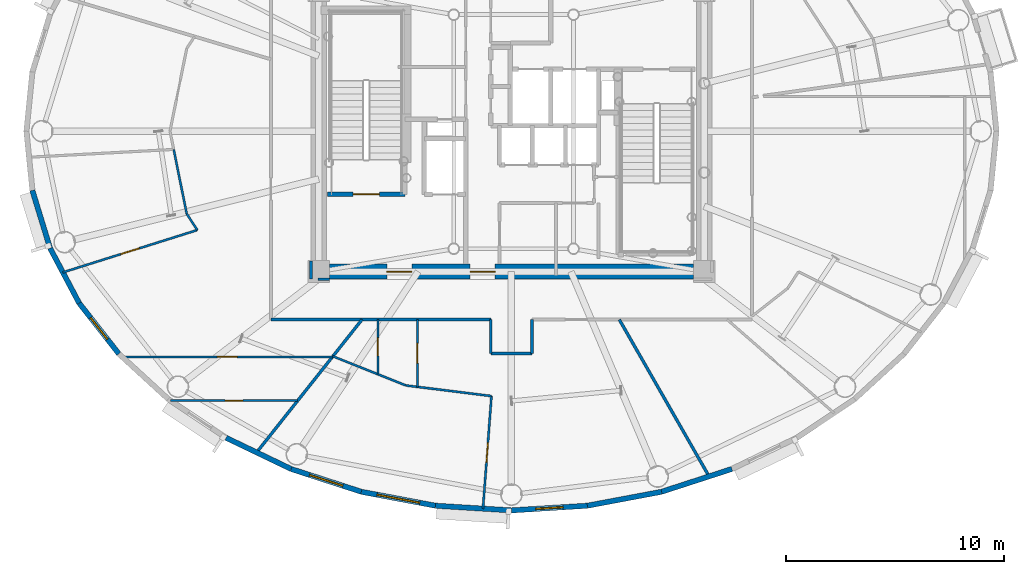
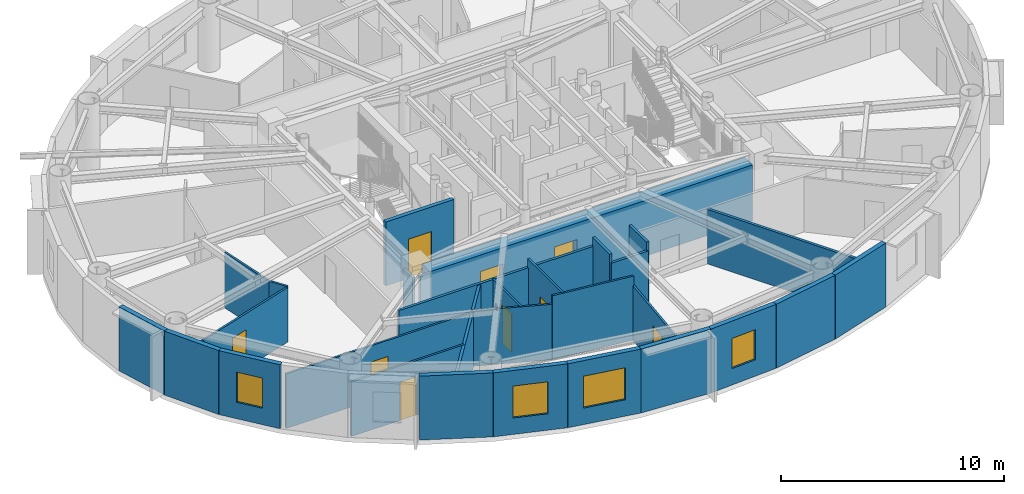
# One storey, part 7 of 18: 30 walls, 9 doors, 4 windows, 13 openings.
"""IFC4 building model written with IfcOpenShell, lengths in metres."""

from ifc_helpers import new_model, si_unit, direction, frame, frame_2d, origin, origin_2d, place, context, subcontext, project, spatial, rectangle, extrude, source, transform, mapped, material, layer, layer_set, type_object, element, fill, save


model = new_model("IFC4")

# Units and contexts
model_context = context("Model", 3, precision=1e-05, world=origin(), true_north=direction((0.0, 1.0)))
body_context = subcontext(model_context, "Body", "Model", "MODEL_VIEW")
ifc_project = project(units=[si_unit("LENGTHUNIT", "METRE"), si_unit("AREAUNIT", "SQUARE_METRE"), si_unit("VOLUMEUNIT", "CUBIC_METRE"), si_unit("PLANEANGLEUNIT", "RADIAN"), si_unit("MASSUNIT", "GRAM", prefix="KILO")], contexts=[model_context])

# Site, building, storey
site_placement = place(None, origin())
site = spatial("IfcSite", under=ifc_project, at=site_placement, CompositionType="ELEMENT")
building_placement = place(site_placement, origin())
building = spatial("IfcBuilding", under=site, at=building_placement, Name="Linh Dai School and Residence Tower", CompositionType="ELEMENT")
storey_placement = place(building_placement, frame((0.0, 0.0, 273.0)))
storey = spatial("IfcBuildingStorey", under=building, at=storey_placement, Name="L67", CompositionType="ELEMENT", Elevation=273.0)

# Walls
ifc_material_1 = material(Name="Precast Concrete B45 (C35/45)", Category="concrete")
ifc_layer_1 = layer(ifc_material_1, 0.239990234375)
ifc_layer_set_1 = layer_set([ifc_layer_1], Name="Precast Concrete B45 (C35/45)")
wall_type_1 = type_object("IfcWallType", Name="EW-TC-240", PredefinedType="SOLIDWALL", material=ifc_layer_set_1)
wall_1_placement = place(storey_placement, frame((14.811767578125, 21.627685546875, 0.0), z_axis=(0.0, 0.0, 1.0), x_axis=(-0.2931213403, 0.956075248012, 0.0)))
element("IfcWall", 1, at=wall_1_placement, inside=storey, type_object=wall_type_1, Name="L67 Terracotta Exterior Wall 22", PredefinedType="SOLIDWALL", context=body_context, shape_type="SweptSolid", body=[
    extrude(rectangle(XDim=2.775146484375, YDim=0.239990234375, at=frame_2d((1.3876953125, 0.0))), origin(), (0.0, 0.0, 1.0), 3.5),
])
wall_2_placement = place(storey_placement, frame((16.146240234375, 19.105224609375, 0.0), z_axis=(0.0, 0.0, 1.0), x_axis=(-0.467628269026, 0.883925224218, 0.0)))
element("IfcWall", 2, at=wall_2_placement, inside=storey, type_object=wall_type_1, Name="L67 Terracotta Exterior Wall 23", PredefinedType="SOLIDWALL", context=body_context, shape_type="SweptSolid", body=[
    extrude(rectangle(XDim=2.853759765625, YDim=0.239990234375, at=frame_2d((1.4267578125, 0.0))), origin(), (0.0, 0.0, 1.0), 3.5),
])

# Wall, opening, window
wall_3_placement = place(storey_placement, frame((17.9697265625, 16.775390625, 0.0), z_axis=(0.0, 0.0, 1.0), x_axis=(-0.616337186556, 0.787482363275, 0.0)))
wall_3 = element("IfcWall", 3, at=wall_3_placement, inside=storey, type_object=wall_type_1, Name="L67 Terracotta Exterior Wall 24", PredefinedType="SOLIDWALL", context=body_context, shape_type="SweptSolid", body=[
    extrude(rectangle(XDim=2.95849609375, YDim=0.239990234375, at=frame_2d((1.479248046875, 0.0))), origin(), (0.0, 0.0, 1.0), 3.5),
])
opening_1_placement = place(wall_3_placement, frame((0.85400390625, 0.0, 0.89990234375)))
opening_1 = element("IfcOpeningElement", 4, at=opening_1_placement, cuts=wall_3, Name="Opening W3", PredefinedType="OPENING", context=body_context, shape_type="SweptSolid", body=[
    extrude(rectangle(XDim=1.25, YDim=1.64990234375, at=origin_2d()), frame((0.625, 0.1298828125, 0.824951171875), z_axis=(0.0, -1.0, 0.0), x_axis=(1.0, 0.0, 0.0)), (0.0, 0.0, 1.0), 0.260009765625),
])
ifc_material_2 = material(Name="Double Low-E Insulated Glazing", Category="glass")
window_type_1 = type_object("IfcWindowType", Name="WN-RES-1250x1650", PartitioningType="SINGLE_PANEL", PredefinedType="WINDOW", material=ifc_material_2)
shared_shape_1 = source(origin(), body_context, "Body", "SweptSolid", [
    extrude(rectangle(XDim=1.25, YDim=1.64990234375, at=origin_2d()), frame((0.625, 0.030029296875, 0.824951171875), z_axis=(0.0, -1.0, 0.0), x_axis=(1.0, 0.0, 0.0)), (0.0, 0.0, 1.0), 0.06005859375),
])
window_1_placement = place(opening_1_placement, origin())
window_1 = element("IfcWindow", 5, at=window_1_placement, inside=storey, type_object=window_type_1, Name="L67 Exterior Window 24.1", OverallHeight=1.64990234375, OverallWidth=1.25, PartitioningType="SINGLE_PANEL", PredefinedType="WINDOW", context=body_context, shape_type="MappedRepresentation", body=[
    mapped(shared_shape_1, transform((0.0, 0.0, 0.0), x_axis=(1.0, 0.0, 0.0), y_axis=(0.0, 1.0, 0.0), z_axis=(0.0, 0.0, 1.0), scale=1.0)),
])
fill(opening_1, window_1)

# Wall
wall_4_placement = place(storey_placement, frame((25.876953125, 11.48779296875, 0.0), z_axis=(0.0, 0.0, 1.0), x_axis=(-0.901573741254, 0.43262546051, 0.0)))
element("IfcWall", 6, at=wall_4_placement, inside=storey, type_object=wall_type_1, Name="L67 Terracotta Exterior Wall 27", PredefinedType="SOLIDWALL", context=body_context, shape_type="SweptSolid", body=[
    extrude(rectangle(XDim=3.306884765625, YDim=0.239990234375, at=frame_2d((1.6533203125, 0.0))), origin(), (0.0, 0.0, 1.0), 3.5),
])

# Wall, opening, window
wall_5_placement = place(storey_placement, frame((29.10888671875, 10.439697265625, 0.0), z_axis=(0.0, 0.0, 1.0), x_axis=(-0.95123136723, 0.308478339592, 0.0)))
wall_5 = element("IfcWall", 7, at=wall_5_placement, inside=storey, type_object=wall_type_1, Name="L67 Terracotta Exterior Wall 28", PredefinedType="SOLIDWALL", context=body_context, shape_type="SweptSolid", body=[
    extrude(rectangle(XDim=3.397705078125, YDim=0.239990234375, at=frame_2d((1.69873046875, 0.0))), origin(), (0.0, 0.0, 1.0), 3.5),
])
opening_2_placement = place(wall_5_placement, frame((0.898681640625, 0.0, 0.89990234375)))
opening_2 = element("IfcOpeningElement", 8, at=opening_2_placement, cuts=wall_5, Name="Opening W2", PredefinedType="OPENING", context=body_context, shape_type="SweptSolid", body=[
    extrude(rectangle(XDim=1.60009765625, YDim=1.75, at=origin_2d()), frame((0.800048828125, 0.1298828125, 0.875), z_axis=(0.0, -1.0, 0.0), x_axis=(1.0, 0.0, 0.0)), (0.0, 0.0, 1.0), 0.260009765625),
])
window_type_2 = type_object("IfcWindowType", Name="WN-RES-1600x1750", PartitioningType="DOUBLE_PANEL_VERTICAL", PredefinedType="WINDOW", material=ifc_material_2)
shared_shape_2 = source(origin(), body_context, "Body", "SweptSolid", [
    extrude(rectangle(XDim=1.60009765625, YDim=1.75, at=origin_2d()), frame((0.800048828125, 0.030029296875, 0.875), z_axis=(0.0, -1.0, 0.0), x_axis=(1.0, 0.0, 0.0)), (0.0, 0.0, 1.0), 0.06005859375),
])
window_2_placement = place(opening_2_placement, origin())
window_2 = element("IfcWindow", 9, at=window_2_placement, inside=storey, type_object=window_type_2, Name="L67 Exterior Window 28.1", OverallHeight=1.75, OverallWidth=1.60009765625, PartitioningType="DOUBLE_PANEL_VERTICAL", PredefinedType="WINDOW", context=body_context, shape_type="MappedRepresentation", body=[
    mapped(shared_shape_2, transform((0.0, 0.0, 0.0), x_axis=(1.0, 0.0, 0.0), y_axis=(0.0, 1.0, 0.0), z_axis=(0.0, 0.0, 1.0), scale=1.0)),
])
fill(opening_2, window_2)

wall_6_placement = place(storey_placement, frame((32.51123046875, 9.800048828125, 0.0), z_axis=(0.0, 0.0, 1.0), x_axis=(-0.982782655757, 0.184765395959, 0.0)))
wall_6 = element("IfcWall", 10, at=wall_6_placement, inside=storey, type_object=wall_type_1, Name="L67 Terracotta Exterior Wall 29", PredefinedType="SOLIDWALL", context=body_context, shape_type="SweptSolid", body=[
    extrude(rectangle(XDim=3.4619140625, YDim=0.239990234375, at=frame_2d((1.73095703125, 0.0))), origin(), (0.0, 0.0, 1.0), 3.5),
])
opening_3_placement = place(wall_6_placement, frame((0.73095703125, 0.0, 0.89990234375)))
opening_3 = element("IfcOpeningElement", 11, at=opening_3_placement, cuts=wall_6, Name="Opening W1", PredefinedType="OPENING", context=body_context, shape_type="SweptSolid", body=[
    extrude(rectangle(XDim=2.0, YDim=1.75, at=origin_2d()), frame((1.0, 0.1298828125, 0.875), z_axis=(0.0, -1.0, 0.0), x_axis=(1.0, 0.0, 0.0)), (0.0, 0.0, 1.0), 0.260009765625),
])
window_type_3 = type_object("IfcWindowType", Name="WN-RES-2000x1750", PartitioningType="DOUBLE_PANEL_VERTICAL", PredefinedType="WINDOW", material=ifc_material_2)
shared_shape_3 = source(origin(), body_context, "Body", "SweptSolid", [
    extrude(rectangle(XDim=2.0, YDim=1.75, at=origin_2d()), frame((1.0, 0.030029296875, 0.875), z_axis=(0.0, -1.0, 0.0), x_axis=(1.0, 0.0, 0.0)), (0.0, 0.0, 1.0), 0.06005859375),
])
window_3_placement = place(opening_3_placement, origin())
window_3 = element("IfcWindow", 12, at=window_3_placement, inside=storey, type_object=window_type_3, Name="L67 Exterior Window 29.1", OverallHeight=1.75, OverallWidth=2.0, PartitioningType="DOUBLE_PANEL_VERTICAL", PredefinedType="WINDOW", context=body_context, shape_type="MappedRepresentation", body=[
    mapped(shared_shape_3, transform((0.0, 0.0, 0.0), x_axis=(1.0, 0.0, 0.0), y_axis=(0.0, 1.0, 0.0), z_axis=(0.0, 0.0, 1.0), scale=1.0)),
])
fill(opening_3, window_3)

# Wall
wall_7_placement = place(storey_placement, frame((36.0, 9.5849609375, 0.0), z_axis=(0.0, 0.0, 1.0), x_axis=(-0.998104946479, 0.061534671648, 0.0)))
element("IfcWall", 13, at=wall_7_placement, inside=storey, type_object=wall_type_1, Name="L67 Terracotta Exterior Wall 30", PredefinedType="SOLIDWALL", context=body_context, shape_type="SweptSolid", body=[
    extrude(rectangle(XDim=3.495361328125, YDim=0.239990234375, at=frame_2d((1.74755859375, 0.0))), origin(), (0.0, 0.0, 1.0), 3.5),
])

# Wall, opening, window
wall_8_placement = place(storey_placement, frame((39.48876953125, 9.800048828125, 0.0), z_axis=(0.0, 0.0, 1.0), x_axis=(-0.998104946479, -0.061534671648, 0.0)))
wall_8 = element("IfcWall", 14, at=wall_8_placement, inside=storey, type_object=wall_type_1, Name="L67 Terracotta Exterior Wall 31", PredefinedType="SOLIDWALL", context=body_context, shape_type="SweptSolid", body=[
    extrude(rectangle(XDim=3.495361328125, YDim=0.239990234375, at=frame_2d((1.74755859375, 0.0))), origin(), (0.0, 0.0, 1.0), 3.5),
])
opening_4_placement = place(wall_8_placement, frame((1.122802734375, 0.0, 0.89990234375)))
opening_4 = element("IfcOpeningElement", 15, at=opening_4_placement, cuts=wall_8, Name="Opening W3", PredefinedType="OPENING", context=body_context, shape_type="SweptSolid", body=[
    extrude(rectangle(XDim=1.25, YDim=1.64990234375, at=origin_2d()), frame((0.625, 0.1298828125, 0.824951171875), z_axis=(0.0, -1.0, 0.0), x_axis=(1.0, 0.0, 0.0)), (0.0, 0.0, 1.0), 0.260009765625),
])
window_4_placement = place(opening_4_placement, origin())
window_4 = element("IfcWindow", 16, at=window_4_placement, inside=storey, type_object=window_type_1, Name="L67 Dwelling Window U6705-LIV", OverallHeight=1.64990234375, OverallWidth=1.25, PartitioningType="SINGLE_PANEL", PredefinedType="WINDOW", context=body_context, shape_type="MappedRepresentation", body=[
    mapped(shared_shape_1, transform((0.0, 0.0, 0.0), x_axis=(1.0, 0.0, 0.0), y_axis=(0.0, 1.0, 0.0), z_axis=(0.0, 0.0, 1.0), scale=1.0)),
])
fill(opening_4, window_4)

# Walls
wall_9_placement = place(storey_placement, frame((42.89111328125, 10.439697265625, 0.0), z_axis=(0.0, 0.0, 1.0), x_axis=(-0.982782655757, -0.184765395959, 0.0)))
element("IfcWall", 17, at=wall_9_placement, inside=storey, type_object=wall_type_1, Name="L67 Terracotta Exterior Wall 32", PredefinedType="SOLIDWALL", context=body_context, shape_type="SweptSolid", body=[
    extrude(rectangle(XDim=3.4619140625, YDim=0.239990234375, at=frame_2d((1.73095703125, 0.0))), origin(), (0.0, 0.0, 1.0), 3.5),
])
wall_10_placement = place(storey_placement, frame((46.123046875, 11.48779296875, 0.0), z_axis=(0.0, 0.0, 1.0), x_axis=(-0.95123136723, -0.308478339592, 0.0)))
element("IfcWall", 18, at=wall_10_placement, inside=storey, type_object=wall_type_1, Name="L67 Terracotta Exterior Wall 33", PredefinedType="SOLIDWALL", context=body_context, shape_type="SweptSolid", body=[
    extrude(rectangle(XDim=3.397705078125, YDim=0.239990234375, at=frame_2d((1.69873046875, 0.0))), origin(), (0.0, 0.0, 1.0), 3.5),
])
ifc_material_3 = material(Name="Autoclaved Aerated Concrete Blockwork", Category="masonry")
ifc_layer_2 = layer(ifc_material_3, 0.135009765625)
ifc_layer_set_2 = layer_set([ifc_layer_2], Name="Autoclaved Aerated Concrete Blockwork")
wall_type_2 = type_object("IfcWallType", Name="IW-CORR-135-EI90", PredefinedType="PARTITIONING", material=ifc_layer_set_2)
wall_11_placement = place(storey_placement, frame((24.2939453125, 12.241943359375, 0.0), z_axis=(0.0, 0.0, 1.0), x_axis=(0.621439784824, 0.783461928774, 0.0)))
element("IfcWall", 19, at=wall_11_placement, inside=storey, type_object=wall_type_2, Name="L67 Interior Partition Wall 012", PredefinedType="PARTITIONING", context=body_context, shape_type="SweptSolid", body=[
    extrude(rectangle(XDim=7.79638671875, YDim=0.135009765625, at=frame_2d((3.898193359375, 0.0))), origin(), (0.0, 0.0, 1.0), 2.985107421875),
])
wall_12_placement = place(storey_placement, frame((24.949951171875, 18.35009765625, 0.0), z_axis=(0.0, 0.0, 1.0), x_axis=(1.0, 0.0, 0.0)))
element("IfcWall", 20, at=wall_12_placement, inside=storey, type_object=wall_type_2, Name="L67 Interior Partition Wall 014", PredefinedType="PARTITIONING", context=body_context, shape_type="SweptSolid", body=[
    extrude(rectangle(XDim=10.10009765625, YDim=0.135009765625, at=frame_2d((5.050048828125, 0.0))), origin(), (0.0, 0.0, 1.0), 3.034912109375),
])
wall_13_placement = place(storey_placement, frame((35.050048828125, 16.800048828125, 0.0), z_axis=(0.0, 0.0, 1.0), x_axis=(0.0, 1.0, 0.0)))
element("IfcWall", 21, at=wall_13_placement, inside=storey, type_object=wall_type_2, Name="L67 Interior Partition Wall 036", PredefinedType="PARTITIONING", context=body_context, shape_type="SweptSolid", body=[
    extrude(rectangle(XDim=1.550048828125, YDim=0.135009765625, at=frame_2d((0.77490234375, 0.0))), origin(), (0.0, 0.0, 1.0), 3.5),
])
wall_14_placement = place(storey_placement, frame((35.050048828125, 16.800048828125, 0.0), z_axis=(0.0, 0.0, 1.0), x_axis=(1.0, 0.0, 0.0)))
element("IfcWall", 22, at=wall_14_placement, inside=storey, type_object=wall_type_2, Name="L67 Interior Partition Wall 037", PredefinedType="PARTITIONING", context=body_context, shape_type="SweptSolid", body=[
    extrude(rectangle(XDim=1.89990234375, YDim=0.135009765625, at=frame_2d((0.949951171875, 0.0))), origin(), (0.0, 0.0, 1.0), 3.034912109375),
])
wall_15_placement = place(storey_placement, frame((36.949951171875, 16.800048828125, 0.0), z_axis=(0.0, 0.0, 1.0), x_axis=(0.0, 1.0, 0.0)))
element("IfcWall", 23, at=wall_15_placement, inside=storey, type_object=wall_type_2, Name="L67 Interior Partition Wall 055", PredefinedType="PARTITIONING", context=body_context, shape_type="SweptSolid", body=[
    extrude(rectangle(XDim=1.550048828125, YDim=0.135009765625, at=frame_2d((0.77490234375, 0.0))), origin(), (0.0, 0.0, 1.0), 3.5),
])
wall_16_placement = place(storey_placement, frame((40.951904296875, 18.35009765625, 0.0), z_axis=(0.0, 0.0, 1.0), x_axis=(0.496803688517, -0.867862947173, 0.0)))
element("IfcWall", 24, at=wall_16_placement, inside=storey, type_object=wall_type_2, Name="L67 Interior Partition Wall 073", PredefinedType="PARTITIONING", context=body_context, shape_type="SweptSolid", body=[
    extrude(rectangle(XDim=8.303955078125, YDim=0.135009765625, at=frame_2d((4.15185546875, 0.0))), origin(), (0.0, 0.0, 1.0), 2.985107421875),
])
wall_17_placement = place(storey_placement, frame((26.800048828125, 21.0400390625, 0.0), z_axis=(0.0, 0.0, 1.0), x_axis=(0.0, -1.0, 0.0)))
element("IfcWall", 25, at=wall_17_placement, inside=storey, type_object=wall_type_2, Name="L67 Interior Partition Wall 095", PredefinedType="PARTITIONING", context=body_context, shape_type="SweptSolid", body=[
    extrude(rectangle(XDim=0.840087890625, YDim=0.135009765625, at=frame_2d((0.419921875, 0.0))), origin(), (0.0, 0.0, 1.0), 3.034912109375),
])
wall_18_placement = place(storey_placement, frame((27.107421875, 20.199951171875, 0.0), z_axis=(0.0, 0.0, 1.0), x_axis=(1.0, 0.0, 0.0)))
element("IfcWall", 26, at=wall_18_placement, inside=storey, type_object=wall_type_2, Name="L67 Interior Partition Wall 096", PredefinedType="PARTITIONING", context=body_context, shape_type="SweptSolid", body=[
    extrude(rectangle(XDim=0.532470703125, YDim=0.135009765625, at=frame_2d((0.26611328125, 0.0))), origin(), (0.0, 0.0, 1.0), 3.034912109375),
])

# Wall, opening, door
ifc_material_4 = material(Name="Concrete B45 (C35/45)", Category="concrete")
ifc_layer_3 = layer(ifc_material_4, 0.199951171875)
ifc_layer_set_3 = layer_set([ifc_layer_3], Name="Concrete B45 (C35/45)")
wall_type_3 = type_object("IfcWallType", Name="IW-SHAFT-200-EI120", PredefinedType="PARTITIONING", material=ifc_layer_set_3)
wall_19_placement = place(storey_placement, frame((27.56005859375, 24.10009765625, 0.0), z_axis=(0.0, 0.0, 1.0), x_axis=(1.0, 0.0, 0.0)))
wall_19 = element("IfcWall", 27, at=wall_19_placement, inside=storey, type_object=wall_type_3, Name="L67 Interior Partition Wall 016", PredefinedType="PARTITIONING", context=body_context, shape_type="SweptSolid", body=[
    extrude(rectangle(XDim=3.5400390625, YDim=0.199951171875, at=frame_2d((1.77001953125, 0.0))), origin(), (0.0, 0.0, 1.0), 3.5),
])
opening_5_placement = place(wall_19_placement, frame((1.169921875, 0.0, 0.0)))
opening_5 = element("IfcOpeningElement", 28, at=opening_5_placement, cuts=wall_19, Name="Opening D01", PredefinedType="OPENING", context=body_context, shape_type="SweptSolid", body=[
    extrude(rectangle(XDim=1.199951171875, YDim=2.14990234375, at=origin_2d()), frame((0.60009765625, 0.10986328125, 1.074951171875), z_axis=(0.0, -1.0, 0.0), x_axis=(1.0, 0.0, 0.0)), (0.0, 0.0, 1.0), 0.219970703125),
])
ifc_material_5 = material(Name="Fire-Rated Steel Door Leaf", Category="steel")
door_type_1 = type_object("IfcDoorType", Name="DR-STAIR-1200x2150-FD90S", OperationType="NOTDEFINED", PredefinedType="DOOR", material=ifc_material_5)
shared_shape_4 = source(origin(), body_context, "Body", "SweptSolid", [
    extrude(rectangle(XDim=1.199951171875, YDim=2.14990234375, at=origin_2d()), frame((0.60009765625, 0.02490234375, 1.074951171875), z_axis=(0.0, -1.0, 0.0), x_axis=(1.0, 0.0, 0.0)), (0.0, 0.0, 1.0), 0.050048828125),
])
door_1_placement = place(opening_5_placement, origin())
door_1 = element("IfcDoor", 29, at=door_1_placement, inside=storey, type_object=door_type_1, Name="L67 Core Smokeproof Exit Stair ST1 Door", OperationType="SINGLE_SWING_LEFT", OverallHeight=2.14990234375, OverallWidth=1.199951171875, PredefinedType="DOOR", context=body_context, shape_type="MappedRepresentation", body=[
    mapped(shared_shape_4, transform((0.0, 0.0, 0.0), x_axis=(1.0, 0.0, 0.0), y_axis=(0.0, 1.0, 0.0), z_axis=(0.0, 0.0, 1.0), scale=1.0)),
])
fill(opening_5, door_1)

ifc_material_6 = material(Name="Gypsum Plasterboard Acoustic Stud Partition", Category="masonry")
ifc_layer_4 = layer(ifc_material_6, 0.10009765625)
ifc_layer_set_4 = layer_set([ifc_layer_4], Name="Gypsum Plasterboard Acoustic Stud Partition")
wall_type_4 = type_object("IfcWallType", Name="IW-UNIT-100", PredefinedType="PARTITIONING", material=ifc_layer_set_4)
wall_20_placement = place(storey_placement, frame((15.3955078125, 20.513916015625, 0.0), z_axis=(0.0, 0.0, 1.0), x_axis=(0.95385684782, 0.300261742264, 0.0)))
wall_20 = element("IfcWall", 30, at=wall_20_placement, inside=storey, type_object=wall_type_4, Name="L67 Interior Partition Wall 003", PredefinedType="PARTITIONING", context=body_context, shape_type="SweptSolid", body=[
    extrude(rectangle(XDim=6.47705078125, YDim=0.10009765625, at=frame_2d((3.238525390625, 0.0))), origin(), (0.0, 0.0, 1.0), 2.985107421875),
])
opening_6_placement = place(wall_20_placement, frame((2.78857421875, 0.0, 0.0)))
opening_6 = element("IfcOpeningElement", 31, at=opening_6_placement, cuts=wall_20, Name="Opening D05", PredefinedType="OPENING", context=body_context, shape_type="SweptSolid", body=[
    extrude(rectangle(XDim=0.89990234375, YDim=2.10009765625, at=origin_2d()), frame((0.449951171875, 0.06005859375, 1.050048828125), z_axis=(0.0, -1.0, 0.0), x_axis=(1.0, 0.0, 0.0)), (0.0, 0.0, 1.0), 0.1201171875),
])
ifc_material_7 = material(Name="Engineered Timber Internal Door", Category="wood")
door_type_2 = type_object("IfcDoorType", Name="DR-INT-900x2100", OperationType="NOTDEFINED", PredefinedType="DOOR", material=ifc_material_7)
shared_shape_5 = source(origin(), body_context, "Body", "SweptSolid", [
    extrude(rectangle(XDim=0.89990234375, YDim=2.10009765625, at=origin_2d()), frame((0.449951171875, 0.02490234375, 1.050048828125), z_axis=(0.0, -1.0, 0.0), x_axis=(1.0, 0.0, 0.0)), (0.0, 0.0, 1.0), 0.050048828125),
])
door_2_placement = place(opening_6_placement, origin())
door_2 = element("IfcDoor", 32, at=door_2_placement, inside=storey, type_object=door_type_2, Name="L67 Apartment U6704 Study Door", OperationType="SINGLE_SWING_LEFT", OverallHeight=2.10009765625, OverallWidth=0.89990234375, PredefinedType="DOOR", context=body_context, shape_type="MappedRepresentation", body=[
    mapped(shared_shape_5, transform((0.0, 0.0, 0.0), x_axis=(1.0, 0.0, 0.0), y_axis=(0.0, 1.0, 0.0), z_axis=(0.0, 0.0, 1.0), scale=1.0)),
])
fill(opening_6, door_2)

wall_21_placement = place(storey_placement, frame((18.11767578125, 16.632568359375, 0.0), z_axis=(0.0, 0.0, 1.0), x_axis=(1.0, 0.0, 0.0)))
wall_21 = element("IfcWall", 33, at=wall_21_placement, inside=storey, type_object=wall_type_4, Name="L67 Interior Partition Wall 004", PredefinedType="PARTITIONING", context=body_context, shape_type="SweptSolid", body=[
    extrude(rectangle(XDim=9.6591796875, YDim=0.10009765625, at=frame_2d((4.82958984375, 0.0))), origin(), (0.0, 0.0, 1.0), 2.985107421875),
])
opening_7_placement = place(wall_21_placement, frame((4.37939453125, 0.0, 0.0)))
opening_7 = element("IfcOpeningElement", 34, at=opening_7_placement, cuts=wall_21, Name="Opening D05", PredefinedType="OPENING", context=body_context, shape_type="SweptSolid", body=[
    extrude(rectangle(XDim=0.89990234375, YDim=2.10009765625, at=origin_2d()), frame((0.449951171875, 0.06005859375, 1.050048828125), z_axis=(0.0, -1.0, 0.0), x_axis=(1.0, 0.0, 0.0)), (0.0, 0.0, 1.0), 0.1201171875),
])
door_3_placement = place(opening_7_placement, origin())
door_3 = element("IfcDoor", 35, at=door_3_placement, inside=storey, type_object=door_type_2, Name="L67 Apartment U6704 Kitchen Door", OperationType="SINGLE_SWING_RIGHT", OverallHeight=2.10009765625, OverallWidth=0.89990234375, PredefinedType="DOOR", context=body_context, shape_type="MappedRepresentation", body=[
    mapped(shared_shape_5, transform((0.0, 0.0, 0.0), x_axis=(1.0, 0.0, 0.0), y_axis=(0.0, 1.0, 0.0), z_axis=(0.0, 0.0, 1.0), scale=1.0)),
])
fill(opening_7, door_3)

wall_22_placement = place(storey_placement, frame((20.3330078125, 14.626220703125, 0.0), z_axis=(0.0, 0.0, 1.0), x_axis=(1.0, 0.0, 0.0)))
wall_22 = element("IfcWall", 36, at=wall_22_placement, inside=storey, type_object=wall_type_4, Name="L67 Interior Partition Wall 007", PredefinedType="PARTITIONING", context=body_context, shape_type="SweptSolid", body=[
    extrude(rectangle(XDim=5.852294921875, YDim=0.10009765625, at=frame_2d((2.92626953125, 0.0))), origin(), (0.0, 0.0, 1.0), 2.985107421875),
])
opening_8_placement = place(wall_22_placement, frame((2.51611328125, 0.0, 0.0)))
opening_8 = element("IfcOpeningElement", 37, at=opening_8_placement, cuts=wall_22, Name="Opening D06", PredefinedType="OPENING", context=body_context, shape_type="SweptSolid", body=[
    extrude(rectangle(XDim=0.820068359375, YDim=2.10009765625, at=origin_2d()), frame((0.41015625, 0.06005859375, 1.050048828125), z_axis=(0.0, -1.0, 0.0), x_axis=(1.0, 0.0, 0.0)), (0.0, 0.0, 1.0), 0.1201171875),
])
ifc_material_8 = material(Name="Moisture-Resistant Timber Bathroom Door", Category="wood")
door_type_3 = type_object("IfcDoorType", Name="DR-WET-820x2100", OperationType="NOTDEFINED", PredefinedType="DOOR", material=ifc_material_8)
shared_shape_6 = source(origin(), body_context, "Body", "SweptSolid", [
    extrude(rectangle(XDim=0.820068359375, YDim=2.10009765625, at=origin_2d()), frame((0.41015625, 0.02490234375, 1.050048828125), z_axis=(0.0, -1.0, 0.0), x_axis=(1.0, 0.0, 0.0)), (0.0, 0.0, 1.0), 0.050048828125),
])
door_4_placement = place(opening_8_placement, origin())
door_4 = element("IfcDoor", 38, at=door_4_placement, inside=storey, type_object=door_type_3, Name="L67 Apartment U6704 Bathroom 1 Door", OperationType="SINGLE_SWING_LEFT", OverallHeight=2.10009765625, OverallWidth=0.820068359375, PredefinedType="DOOR", context=body_context, shape_type="MappedRepresentation", body=[
    mapped(shared_shape_6, transform((0.0, 0.0, 0.0), x_axis=(1.0, 0.0, 0.0), y_axis=(0.0, 1.0, 0.0), z_axis=(0.0, 0.0, 1.0), scale=1.0)),
])
fill(opening_8, door_4)

# Walls
wall_23_placement = place(storey_placement, frame((20.491455078125, 26.152099609375, 0.0), z_axis=(0.0, 0.0, 1.0), x_axis=(0.198255475343, -0.980150379532, 0.0)))
element("IfcWall", 39, at=wall_23_placement, inside=storey, type_object=wall_type_4, Name="L67 Interior Partition Wall 008", PredefinedType="PARTITIONING", context=body_context, shape_type="SweptSolid", body=[
    extrude(rectangle(XDim=3.005859375, YDim=0.10009765625, at=frame_2d((1.5029296875, 0.0))), origin(), (0.0, 0.0, 1.0), 3.034912109375),
])
wall_24_placement = place(storey_placement, frame((21.08740234375, 23.205810546875, 0.0), z_axis=(0.0, 0.0, 1.0), x_axis=(0.545565820765, -0.838067977681, 0.0)))
element("IfcWall", 40, at=wall_24_placement, inside=storey, type_object=wall_type_4, Name="L67 Interior Partition Wall 009", PredefinedType="PARTITIONING", context=body_context, shape_type="SweptSolid", body=[
    extrude(rectangle(XDim=0.891357421875, YDim=0.10009765625, at=frame_2d((0.44580078125, 0.0))), origin(), (0.0, 0.0, 1.0), 3.034912109375),
])
wall_25_placement = place(storey_placement, frame((27.799560546875, 16.66162109375, 0.0), z_axis=(0.0, 0.0, 1.0), x_axis=(0.928783988526, -0.370621508628, 0.0)))
element("IfcWall", 41, at=wall_25_placement, inside=storey, type_object=wall_type_4, Name="L67 Interior Partition Wall 018", PredefinedType="PARTITIONING", context=body_context, shape_type="SweptSolid", body=[
    extrude(rectangle(XDim=3.612548828125, YDim=0.10009765625, at=frame_2d((1.80615234375, 0.0))), origin(), (0.0, 0.0, 1.0), 3.034912109375),
])

# Wall, opening, door
wall_26_placement = place(storey_placement, frame((29.864990234375, 15.83740234375, 0.0), z_axis=(0.0, 0.0, 1.0), x_axis=(0.0, 1.0, 0.0)))
wall_26 = element("IfcWall", 42, at=wall_26_placement, inside=storey, type_object=wall_type_4, Name="L67 Interior Partition Wall 019", PredefinedType="PARTITIONING", context=body_context, shape_type="SweptSolid", body=[
    extrude(rectangle(XDim=2.5126953125, YDim=0.10009765625, at=frame_2d((1.25634765625, 0.0))), origin(), (0.0, 0.0, 1.0), 3.034912109375),
])
opening_9_placement = place(wall_26_placement, frame((0.84619140625, 0.0, 0.0)))
opening_9 = element("IfcOpeningElement", 43, at=opening_9_placement, cuts=wall_26, Name="Opening D06", PredefinedType="OPENING", context=body_context, shape_type="SweptSolid", body=[
    extrude(rectangle(XDim=0.820068359375, YDim=2.10009765625, at=origin_2d()), frame((0.41015625, 0.06005859375, 1.050048828125), z_axis=(0.0, -1.0, 0.0), x_axis=(1.0, 0.0, 0.0)), (0.0, 0.0, 1.0), 0.1201171875),
])
door_5_placement = place(opening_9_placement, origin())
door_5 = element("IfcDoor", 44, at=door_5_placement, inside=storey, type_object=door_type_3, Name="L67 Apartment U6705 Bathroom 1 Door", OperationType="SINGLE_SWING_LEFT", OverallHeight=2.10009765625, OverallWidth=0.820068359375, PredefinedType="DOOR", context=body_context, shape_type="MappedRepresentation", body=[
    mapped(shared_shape_6, transform((0.0, 0.0, 0.0), x_axis=(1.0, 0.0, 0.0), y_axis=(0.0, 1.0, 0.0), z_axis=(0.0, 0.0, 1.0), scale=1.0)),
])
fill(opening_9, door_5)

# Wall
wall_27_placement = place(storey_placement, frame((31.154541015625, 15.322998046875, 0.0), z_axis=(0.0, 0.0, 1.0), x_axis=(0.992397939869, -0.123070422704, 0.0)))
element("IfcWall", 45, at=wall_27_placement, inside=storey, type_object=wall_type_4, Name="L67 Interior Partition Wall 024", PredefinedType="PARTITIONING", context=body_context, shape_type="SweptSolid", body=[
    extrude(rectangle(XDim=3.95751953125, YDim=0.10009765625, at=frame_2d((1.978759765625, 0.0))), origin(), (0.0, 0.0, 1.0), 3.5),
])

# Wall, opening, door
wall_28_placement = place(storey_placement, frame((31.6826171875, 15.257568359375, 0.0), z_axis=(0.0, 0.0, 1.0), x_axis=(0.0, 1.0, 0.0)))
wall_28 = element("IfcWall", 46, at=wall_28_placement, inside=storey, type_object=wall_type_4, Name="L67 Interior Partition Wall 026", PredefinedType="PARTITIONING", context=body_context, shape_type="SweptSolid", body=[
    extrude(rectangle(XDim=3.092529296875, YDim=0.10009765625, at=frame_2d((1.54638671875, 0.0))), origin(), (0.0, 0.0, 1.0), 3.5),
])
opening_10_placement = place(wall_28_placement, frame((1.09619140625, 0.0, 0.0)))
opening_10 = element("IfcOpeningElement", 47, at=opening_10_placement, cuts=wall_28, Name="Opening D05", PredefinedType="OPENING", context=body_context, shape_type="SweptSolid", body=[
    extrude(rectangle(XDim=0.89990234375, YDim=2.10009765625, at=origin_2d()), frame((0.449951171875, 0.06005859375, 1.050048828125), z_axis=(0.0, -1.0, 0.0), x_axis=(1.0, 0.0, 0.0)), (0.0, 0.0, 1.0), 0.1201171875),
])
door_6_placement = place(opening_10_placement, origin())
door_6 = element("IfcDoor", 48, at=door_6_placement, inside=storey, type_object=door_type_2, Name="L67 Apartment U6705 Kitchen Door", OperationType="SINGLE_SWING_RIGHT", OverallHeight=2.10009765625, OverallWidth=0.89990234375, PredefinedType="DOOR", context=body_context, shape_type="MappedRepresentation", body=[
    mapped(shared_shape_5, transform((0.0, 0.0, 0.0), x_axis=(1.0, 0.0, 0.0), y_axis=(0.0, 1.0, 0.0), z_axis=(0.0, 0.0, 1.0), scale=1.0)),
])
fill(opening_10, door_6)

wall_29_placement = place(storey_placement, frame((34.69140625, 9.66064453125, 0.0), z_axis=(0.0, 0.0, 1.0), x_axis=(0.0752647297, 0.997163587614, 0.0)))
wall_29 = element("IfcWall", 49, at=wall_29_placement, inside=storey, type_object=wall_type_4, Name="L67 Interior Partition Wall 034", PredefinedType="PARTITIONING", context=body_context, shape_type="SweptSolid", body=[
    extrude(rectangle(XDim=5.18994140625, YDim=0.10009765625, at=frame_2d((2.594970703125, 0.0))), origin(), (0.0, 0.0, 1.0), 2.985107421875),
])
opening_11_placement = place(wall_29_placement, frame((2.14501953125, 0.0, 0.0)))
opening_11 = element("IfcOpeningElement", 50, at=opening_11_placement, cuts=wall_29, Name="Opening D05", PredefinedType="OPENING", context=body_context, shape_type="SweptSolid", body=[
    extrude(rectangle(XDim=0.89990234375, YDim=2.10009765625, at=origin_2d()), frame((0.449951171875, 0.06005859375, 1.050048828125), z_axis=(0.0, -1.0, 0.0), x_axis=(1.0, 0.0, 0.0)), (0.0, 0.0, 1.0), 0.1201171875),
])
door_7_placement = place(opening_11_placement, origin())
door_7 = element("IfcDoor", 51, at=door_7_placement, inside=storey, type_object=door_type_2, Name="L67 Apartment U6705 Principal Bedroom 1 Door", OperationType="SINGLE_SWING_LEFT", OverallHeight=2.10009765625, OverallWidth=0.89990234375, PredefinedType="DOOR", context=body_context, shape_type="MappedRepresentation", body=[
    mapped(shared_shape_5, transform((0.0, 0.0, 0.0), x_axis=(1.0, 0.0, 0.0), y_axis=(0.0, 1.0, 0.0), z_axis=(0.0, 0.0, 1.0), scale=1.0)),
])
fill(opening_11, door_7)

# Wall, openings, doors
ifc_layer_5 = layer(ifc_material_4, 0.699951171875)
ifc_layer_set_5 = layer_set([ifc_layer_5], Name="Concrete B45 (C35/45)")
wall_type_5 = type_object("IfcWallType", Name="WL-CORE700", PredefinedType="SHEAR", material=ifc_layer_set_5)
wall_30_placement = place(storey_placement, frame((44.35009765625, 20.550048828125, 0.0), z_axis=(0.0, 0.0, 1.0), x_axis=(-1.0, 0.0, 0.0)))
wall_30 = element("IfcWall", 52, at=wall_30_placement, inside=storey, type_object=wall_type_5, Name="L67 Central Core Shear Wall S", PredefinedType="SHEAR", context=body_context, shape_type="SweptSolid", body=[
    extrude(rectangle(XDim=16.7001953125, YDim=0.699951171875, at=frame_2d((8.35009765625, 0.0))), origin(), (0.0, 0.0, 1.0), 3.050048828125),
])
opening_12_placement = place(wall_30_placement, frame((12.925048828125, 0.0, 0.0)))
opening_12 = element("IfcOpeningElement", 53, at=opening_12_placement, cuts=wall_30, Name="Opening D02", PredefinedType="OPENING", context=body_context, shape_type="SweptSolid", body=[
    extrude(rectangle(XDim=1.14990234375, YDim=2.14990234375, at=origin_2d()), frame((0.574951171875, 0.35986328125, 1.074951171875), z_axis=(0.0, -1.0, 0.0), x_axis=(1.0, 0.0, 0.0)), (0.0, 0.0, 1.0), 0.719970703125),
])
opening_13_placement = place(wall_30_placement, frame((9.10009765625, 0.0, 0.0)))
opening_13 = element("IfcOpeningElement", 54, at=opening_13_placement, cuts=wall_30, Name="Opening D02", PredefinedType="OPENING", context=body_context, shape_type="SweptSolid", body=[
    extrude(rectangle(XDim=1.14990234375, YDim=2.14990234375, at=origin_2d()), frame((0.574951171875, 0.35986328125, 1.074951171875), z_axis=(0.0, -1.0, 0.0), x_axis=(1.0, 0.0, 0.0)), (0.0, 0.0, 1.0), 0.719970703125),
])
ifc_material_9 = material(Name="Fire-Rated Glazed Steel Lobby Door", Category="steel")
door_type_4 = type_object("IfcDoorType", Name="DR-LOBBY-1150x2150-FD90S", OperationType="NOTDEFINED", PredefinedType="DOOR", material=ifc_material_9)
shared_shape_7 = source(origin(), body_context, "Body", "SweptSolid", [
    extrude(rectangle(XDim=1.14990234375, YDim=2.14990234375, at=origin_2d()), frame((0.574951171875, 0.02490234375, 1.074951171875), z_axis=(0.0, -1.0, 0.0), x_axis=(1.0, 0.0, 0.0)), (0.0, 0.0, 1.0), 0.050048828125),
])
door_8_placement = place(opening_12_placement, origin())
door_8 = element("IfcDoor", 55, at=door_8_placement, inside=storey, type_object=door_type_4, Name="L67 Firefighting Lobby Door", OperationType="SINGLE_SWING_RIGHT", OverallHeight=2.14990234375, OverallWidth=1.14990234375, PredefinedType="DOOR", context=body_context, shape_type="MappedRepresentation", body=[
    mapped(shared_shape_7, transform((0.0, 0.0, 0.0), x_axis=(1.0, 0.0, 0.0), y_axis=(0.0, 1.0, 0.0), z_axis=(0.0, 0.0, 1.0), scale=1.0)),
])
fill(opening_12, door_8)
door_9_placement = place(opening_13_placement, origin())
door_9 = element("IfcDoor", 56, at=door_9_placement, inside=storey, type_object=door_type_4, Name="L67 Passenger Foyer Access Door", OperationType="SINGLE_SWING_RIGHT", OverallHeight=2.14990234375, OverallWidth=1.14990234375, PredefinedType="DOOR", context=body_context, shape_type="MappedRepresentation", body=[
    mapped(shared_shape_7, transform((0.0, 0.0, 0.0), x_axis=(1.0, 0.0, 0.0), y_axis=(0.0, 1.0, 0.0), z_axis=(0.0, 0.0, 1.0), scale=1.0)),
])
fill(opening_13, door_9)

save(model, "model.ifc")
